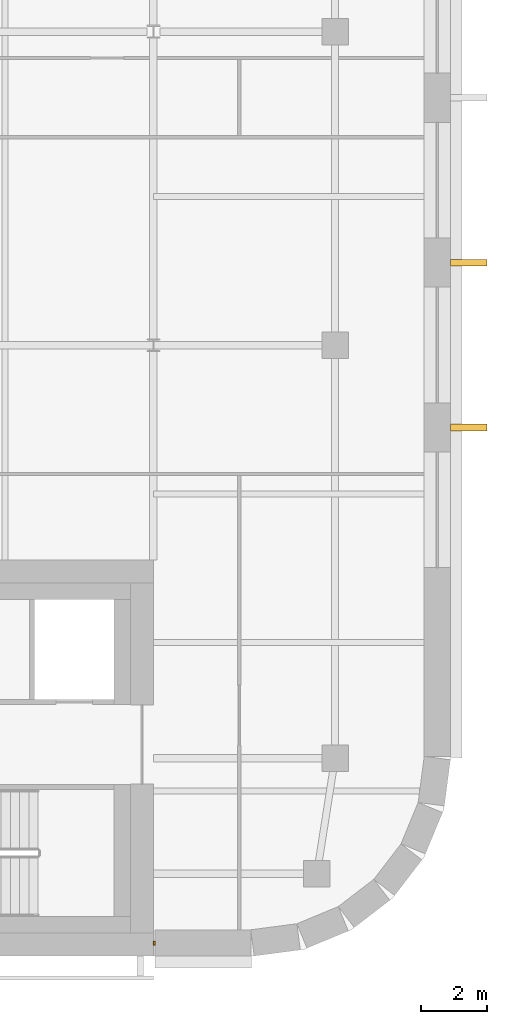
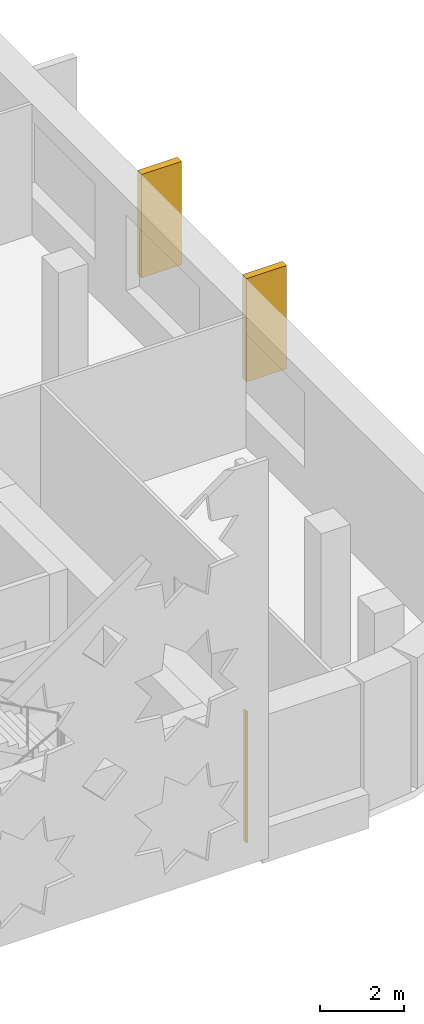
# One storey, part 16 of 17: 3 coverings.
"""IFC4 building model written with IfcOpenShell, lengths in metres."""

from ifc_helpers import new_model, si_unit, direction, frame, origin, origin_2d, place, context, subcontext, project, spatial, polyline, rectangle, outline, extrude, material, layer, layer_set, type_object, element, save


model = new_model("IFC4")

# Units and contexts
model_context = context("Model", 3, precision=1e-05, world=origin(), true_north=direction((0.0, 1.0)))
body_context = subcontext(model_context, "Body", "Model", "MODEL_VIEW")
ifc_project = project(units=[si_unit("LENGTHUNIT", "METRE"), si_unit("AREAUNIT", "SQUARE_METRE"), si_unit("VOLUMEUNIT", "CUBIC_METRE"), si_unit("PLANEANGLEUNIT", "RADIAN"), si_unit("MASSUNIT", "GRAM", prefix="KILO")], contexts=[model_context])

# Site, building, storey
site_placement = place(None, origin())
site = spatial("IfcSite", under=ifc_project, at=site_placement, CompositionType="ELEMENT")
building_placement = place(site_placement, origin())
building = spatial("IfcBuilding", under=site, at=building_placement, Name="Zellij Exchange Tower", CompositionType="ELEMENT")
storey_placement = place(building_placement, frame((0.0, 0.0, 252.5)))
storey = spatial("IfcBuildingStorey", under=building, at=storey_placement, Name="L59", CompositionType="ELEMENT", Elevation=252.5)

# Coverings
ifc_material = material(Name="Limestone cladding", Category="masonry")
ifc_layer = layer(ifc_material, 0.1201171875)
ifc_layer_set = layer_set([ifc_layer], Name="Limestone cladding")
covering_type_1 = type_object("IfcCoveringType", Name="ENV-CV18 Glazing closer 120", PredefinedType="CLADDING", material=ifc_layer_set)
covering_1_placement = place(storey_placement, frame((27.02490234375, -13.60009765625, 0.0), z_axis=(0.0, 0.0, 1.0), x_axis=(-1.0, 0.0, 0.0)))
element("IfcCovering", 1, at=covering_1_placement, inside=storey, type_object=covering_type_1, Name="Glazing closer", PredefinedType="CLADDING", context=body_context, shape_type="SweptSolid", body=[
    extrude(rectangle(XDim=0.050048828125, YDim=0.1201171875, at=origin_2d()), origin(), (0.0, 0.0, 1.0), 3.800048828125),
])
covering_type_2 = type_object("IfcCoveringType", Name="ENV-CV6 Stone pier 200x1100", PredefinedType="CLADDING", material=ifc_material)
covering_2_placement = place(storey_placement, frame((0.0, 0.0, 0.800048828125)))
element("IfcCovering", 2, at=covering_2_placement, inside=storey, type_object=covering_type_2, Name="Stone pier", PredefinedType="CLADDING", context=body_context, shape_type="SweptSolid", body=[
    extrude(outline(polyline([(36.0, 1.9111328125), (36.0, 2.111083984375), (37.10009765625, 2.111083984375), (37.10009765625, 1.9111328125), (36.0, 1.9111328125)])), origin(), (0.0, 0.0, 1.0), 3.0),
])
covering_3_placement = place(storey_placement, frame((0.0, 0.0, 0.800048828125)))
element("IfcCovering", 3, at=covering_3_placement, inside=storey, type_object=covering_type_2, Name="Stone pier", PredefinedType="CLADDING", context=body_context, shape_type="SweptSolid", body=[
    extrude(outline(polyline([(36.0, 6.90380859375), (36.0, 7.103759765625), (37.10009765625, 7.103759765625), (37.10009765625, 6.90380859375), (36.0, 6.90380859375)])), origin(), (0.0, 0.0, 1.0), 3.0),
])

save(model, "model.ifc")
